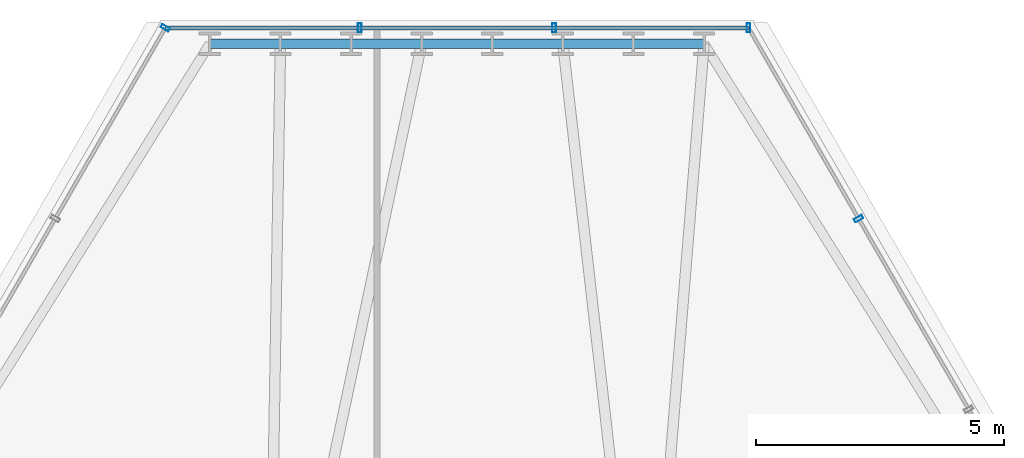
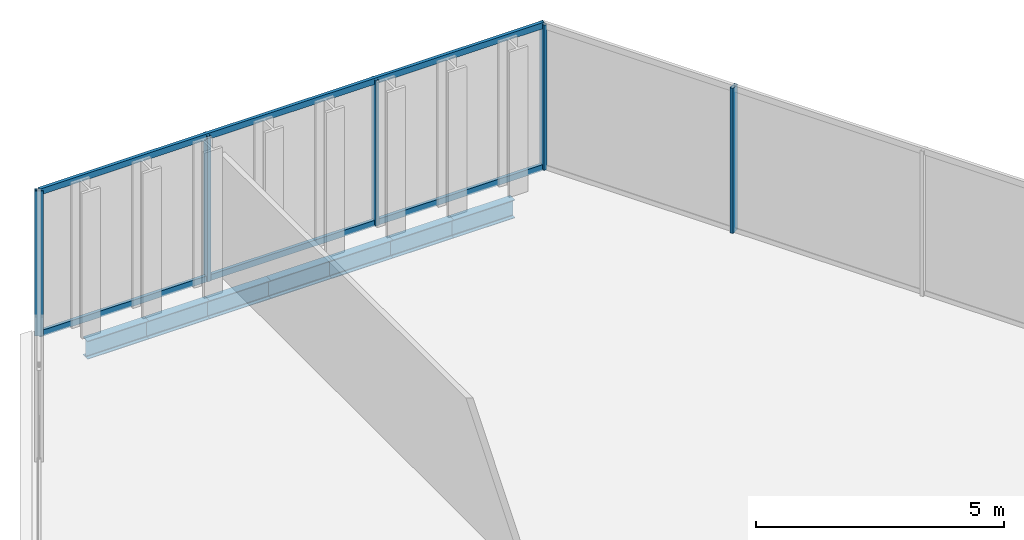
# One storey, part 22 of 31: 7 beams, 7 members, 3 elements without a shape of their own.
"""IFC4 building model written with IfcOpenShell, lengths in metres."""

from ifc_helpers import new_model, si_unit, direction, frame, origin, origin_2d, place, context, subcontext, project, spatial, hollow_rectangle, i_section, extrude, material, layer, layer_set, material_profile, profile_set, type_object, element, aggregate, save


model = new_model("IFC4")

# Units and contexts
model_context = context("Model", 3, precision=1e-05, world=origin(), true_north=direction((0.0, 1.0)))
body_context = subcontext(model_context, "Body", "Model", "MODEL_VIEW")
ifc_project = project(units=[si_unit("LENGTHUNIT", "METRE"), si_unit("AREAUNIT", "SQUARE_METRE"), si_unit("VOLUMEUNIT", "CUBIC_METRE"), si_unit("PLANEANGLEUNIT", "RADIAN"), si_unit("MASSUNIT", "GRAM", prefix="KILO")], contexts=[model_context])

# Site, building, storey
site_placement = place(None, origin())
site = spatial("IfcSite", under=ifc_project, at=site_placement, CompositionType="ELEMENT")
building_placement = place(site_placement, origin())
building = spatial("IfcBuilding", under=site, at=building_placement, Name="Ndaravel Arena Tower", CompositionType="ELEMENT")
storey_placement = place(building_placement, frame((0.0, 0.0, 138.39990234375)))
storey = spatial("IfcBuildingStorey", under=building, at=storey_placement, Name="L32", CompositionType="ELEMENT", Elevation=138.39990234375)

# Beams
ifc_material_1 = material(Name="Steel S355", Category="steel")
ifc_material_profile_1 = material_profile(ifc_material_1, i_section(OverallWidth=0.18994140625, OverallDepth=0.449951171875, WebThickness=0.009521484375, FlangeThickness=0.0146484375, FilletRadius=0.02099609375, at=origin_2d()), Name="IPE 450")
ifc_profile_set_1 = profile_set([ifc_material_profile_1], Name="Steel S355")
beam_type = type_object("IfcBeamType", Name="BM-SPAN-IPE450", PredefinedType="SPANDREL", material=ifc_profile_set_1)
beam_1_placement = place(storey_placement, frame((46.98291015625, 45.784912109375, -0.44482421875), z_axis=(-1.0, 0.0, 0.0), x_axis=(0.0, -1.0, 0.0)))
element("IfcBeam", 1, at=beam_1_placement, inside=storey, type_object=beam_type, Name="L32 Perimeter Spandrel Beam SP-11", PredefinedType="SPANDREL", context=body_context, shape_type="SweptSolid", body=[
    extrude(i_section(OverallWidth=0.18994140625, OverallDepth=0.449951171875, WebThickness=0.009521484375, FlangeThickness=0.0146484375, FilletRadius=0.02099609375, at=origin_2d()), origin(), (0.0, 0.0, 1.0), 1.423828125),
])
for number, where, z_axis, x_axis, name in (
    (2, (45.55908203125, 45.784912109375, -0.44482421875), (-1.0, 0.0, 0.0), (0.0, -1.0, 0.0), "L32 Perimeter Spandrel Beam SP-12"),
    (3, (44.135498046875, 45.784912109375, -0.44482421875), (-1.0, 0.0, 0.0), (0.0, -1.0, 0.0), "L32 Perimeter Spandrel Beam SP-13"),
):
    element("IfcBeam", number, at=place(storey_placement, frame(where, z_axis=z_axis, x_axis=x_axis)), inside=storey, type_object=beam_type, Name=name, PredefinedType="SPANDREL", context=body_context, shape_type="SweptSolid", body=[
        extrude(i_section(OverallWidth=0.18994140625, OverallDepth=0.449951171875, WebThickness=0.009521484375, FlangeThickness=0.0146484375, FilletRadius=0.02099609375, at=origin_2d()), origin(), (0.0, 0.0, 1.0), 1.423583984375),
    ])
beam_2_placement = place(storey_placement, frame((42.7119140625, 45.784912109375, -0.44482421875), z_axis=(-1.0, 0.0, 0.0), x_axis=(0.0, -1.0, 0.0)))
element("IfcBeam", 4, at=beam_2_placement, inside=storey, type_object=beam_type, Name="L32 Perimeter Spandrel Beam SP-14", PredefinedType="SPANDREL", context=body_context, shape_type="SweptSolid", body=[
    extrude(i_section(OverallWidth=0.18994140625, OverallDepth=0.449951171875, WebThickness=0.009521484375, FlangeThickness=0.0146484375, FilletRadius=0.02099609375, at=origin_2d()), origin(), (0.0, 0.0, 1.0), 1.423828125),
])
for number, where, z_axis, x_axis, name in (
    (5, (41.2880859375, 45.784912109375, -0.44482421875), (-1.0, 0.0, 0.0), (0.0, -1.0, 0.0), "L32 Perimeter Spandrel Beam SP-15"),
    (6, (39.864501953125, 45.784912109375, -0.44482421875), (-1.0, 0.0, 0.0), (0.0, -1.0, 0.0), "L32 Perimeter Spandrel Beam SP-16"),
):
    element("IfcBeam", number, at=place(storey_placement, frame(where, z_axis=z_axis, x_axis=x_axis)), inside=storey, type_object=beam_type, Name=name, PredefinedType="SPANDREL", context=body_context, shape_type="SweptSolid", body=[
        extrude(i_section(OverallWidth=0.18994140625, OverallDepth=0.449951171875, WebThickness=0.009521484375, FlangeThickness=0.0146484375, FilletRadius=0.02099609375, at=origin_2d()), origin(), (0.0, 0.0, 1.0), 1.423583984375),
    ])
beam_3_placement = place(storey_placement, frame((38.44091796875, 45.784912109375, -0.44482421875), z_axis=(-1.0, 0.0, 0.0), x_axis=(0.0, -1.0, 0.0)))
element("IfcBeam", 7, at=beam_3_placement, inside=storey, type_object=beam_type, Name="L32 Perimeter Spandrel Beam SP-17", PredefinedType="SPANDREL", context=body_context, shape_type="SweptSolid", body=[
    extrude(i_section(OverallWidth=0.18994140625, OverallDepth=0.449951171875, WebThickness=0.009521484375, FlangeThickness=0.0146484375, FilletRadius=0.02099609375, at=origin_2d()), origin(), (0.0, 0.0, 1.0), 1.423828125),
])

# Curtain wall, member
ifc_material_2 = material(Name="Aluminium", Category="aluminium")
ifc_layer_1 = layer(ifc_material_2, 0.179931640625)
ifc_layer_set_1 = layer_set([ifc_layer_1], Name="Aluminium")
curtain_wall_type_1 = type_object("IfcCurtainWallType", Name="CW-SYS-03", PredefinedType="NOTDEFINED", material=ifc_layer_set_1)
curtain_wall_1_placement = place(storey_placement, origin())
curtain_wall_1 = element("IfcCurtainWall", 8, at=curtain_wall_1_placement, inside=storey, type_object=curtain_wall_type_1, Name="L32 Faceted Crystal Curtain Wall CW-L32-E03", PredefinedType="NOTDEFINED")
ifc_material_3 = material(Name="Aluminium", Category="aluminium")
ifc_material_profile_2 = material_profile(ifc_material_3, hollow_rectangle(XDim=0.074951171875, YDim=0.179931640625, WallThickness=0.00390625, at=origin_2d()), Name="CW MULLION 75x180x4")
ifc_profile_set_2 = profile_set([ifc_material_profile_2], Name="Aluminium")
member_type_1 = type_object("IfcMemberType", Name="MEM-CW-MUL180", PredefinedType="MULLION", material=ifc_profile_set_2)
member_1_placement = place(storey_placement, frame((50.099365234375, 42.259765625, 0.0), z_axis=(0.0, 0.0, 1.0), x_axis=(-0.5, 0.866025403784, 0.0)))
member_1 = element("IfcMember", 9, at=member_1_placement, type_object=member_type_1, Name="CW-L32-E03 Mullion 07", PredefinedType="MULLION", context=body_context, shape_type="SweptSolid", body=[
    extrude(hollow_rectangle(XDim=0.074951171875, YDim=0.179931640625, WallThickness=0.00390625, at=origin_2d()), origin(), (0.0, 0.0, 1.0), 3.580078125),
])
aggregate(curtain_wall_1, [member_1])

# Curtain wall, members
ifc_material_4 = material(Name="Aluminium", Category="aluminium")
ifc_layer_2 = layer(ifc_material_4, 0.179931640625)
ifc_layer_set_2 = layer_set([ifc_layer_2], Name="Aluminium")
curtain_wall_type_2 = type_object("IfcCurtainWallType", Name="CW-SYS-01", PredefinedType="NOTDEFINED", material=ifc_layer_set_2)
curtain_wall_2_placement = place(storey_placement, origin())
curtain_wall_2 = element("IfcCurtainWall", 10, at=curtain_wall_2_placement, inside=storey, type_object=curtain_wall_type_2, Name="L32 Faceted Crystal Curtain Wall CW-L32-E04", PredefinedType="NOTDEFINED")
member_2_placement = place(storey_placement, frame((47.87939453125, 46.10498046875, 0.0), z_axis=(0.0, 0.0, 1.0), x_axis=(-1.0, 0.0, 0.0)))
member_2 = element("IfcMember", 11, at=member_2_placement, type_object=member_type_1, Name="CW-L32-E04 Mullion 00", PredefinedType="MULLION", context=body_context, shape_type="SweptSolid", body=[
    extrude(hollow_rectangle(XDim=0.074951171875, YDim=0.179931640625, WallThickness=0.00390625, at=origin_2d()), origin(), (0.0, 0.0, 1.0), 3.580078125),
])
member_3_placement = place(storey_placement, frame((43.959716796875, 46.10498046875, 0.0), z_axis=(0.0, 0.0, 1.0), x_axis=(-1.0, 0.0, 0.0)))
member_3 = element("IfcMember", 12, at=member_3_placement, type_object=member_type_1, Name="CW-L32-E04 Mullion 01", PredefinedType="MULLION", context=body_context, shape_type="SweptSolid", body=[
    extrude(hollow_rectangle(XDim=0.074951171875, YDim=0.179931640625, WallThickness=0.00390625, at=origin_2d()), origin(), (0.0, 0.0, 1.0), 3.580078125),
])
member_4_placement = place(storey_placement, frame((40.040283203125, 46.10498046875, 0.0), z_axis=(0.0, 0.0, 1.0), x_axis=(-1.0, 0.0, 0.0)))
member_4 = element("IfcMember", 13, at=member_4_placement, type_object=member_type_1, Name="CW-L32-E04 Mullion 02", PredefinedType="MULLION", context=body_context, shape_type="SweptSolid", body=[
    extrude(hollow_rectangle(XDim=0.074951171875, YDim=0.179931640625, WallThickness=0.00390625, at=origin_2d()), origin(), (0.0, 0.0, 1.0), 3.580078125),
])

# Curtain wall, member
curtain_wall_3_placement = place(storey_placement, origin())
curtain_wall_3 = element("IfcCurtainWall", 14, at=curtain_wall_3_placement, inside=storey, type_object=curtain_wall_type_1, Name="L32 Faceted Crystal Curtain Wall CW-L32-E05", PredefinedType="NOTDEFINED")
member_5_placement = place(storey_placement, frame((36.12060546875, 46.10498046875, 0.0), z_axis=(0.0, 0.0, 1.0), x_axis=(-0.5, -0.866025403784, 0.0)))
member_5 = element("IfcMember", 15, at=member_5_placement, type_object=member_type_1, Name="CW-L32-E05 Mullion 00", PredefinedType="MULLION", context=body_context, shape_type="SweptSolid", body=[
    extrude(hollow_rectangle(XDim=0.074951171875, YDim=0.179931640625, WallThickness=0.00390625, at=origin_2d()), origin(), (0.0, 0.0, 1.0), 3.580078125),
])
aggregate(curtain_wall_3, [member_5])

# Member
ifc_material_5 = material(Name="Aluminium", Category="aluminium")
ifc_material_profile_3 = material_profile(ifc_material_5, hollow_rectangle(XDim=0.074951171875, YDim=0.14990234375, WallThickness=0.00390625, at=origin_2d()), Name="CW TRANSOM 75x150x4")
ifc_profile_set_3 = profile_set([ifc_material_profile_3], Name="Aluminium")
member_type_2 = type_object("IfcMemberType", Name="MEM-CW-TRN150", PredefinedType="USERDEFINED", material=ifc_profile_set_3)
member_6_placement = place(storey_placement, frame((47.87939453125, 46.10498046875, 0.0400390625), z_axis=(-1.0, 0.0, 0.0), x_axis=(0.0, -1.0, 0.0)))
member_6 = element("IfcMember", 16, at=member_6_placement, type_object=member_type_2, Name="CW-L32-E04 Transom 01", ObjectType="TRANSOM", PredefinedType="USERDEFINED", context=body_context, shape_type="SweptSolid", body=[
    extrude(hollow_rectangle(XDim=0.074951171875, YDim=0.14990234375, WallThickness=0.00390625, at=origin_2d()), origin(), (0.0, 0.0, 1.0), 11.7587890625),
])

member_7_placement = place(storey_placement, frame((47.87939453125, 46.10498046875, 3.5400390625), z_axis=(-1.0, 0.0, 0.0), x_axis=(0.0, -1.0, 0.0)))
member_7 = element("IfcMember", 17, at=member_7_placement, type_object=member_type_2, Name="CW-L32-E04 Transom 02", ObjectType="TRANSOM", PredefinedType="USERDEFINED", context=body_context, shape_type="SweptSolid", body=[
    extrude(hollow_rectangle(XDim=0.074951171875, YDim=0.14990234375, WallThickness=0.00390625, at=origin_2d()), origin(), (0.0, 0.0, 1.0), 11.7587890625),
])

aggregate(curtain_wall_2, [member_2, member_3, member_4, member_6, member_7])

save(model, "model.ifc")
